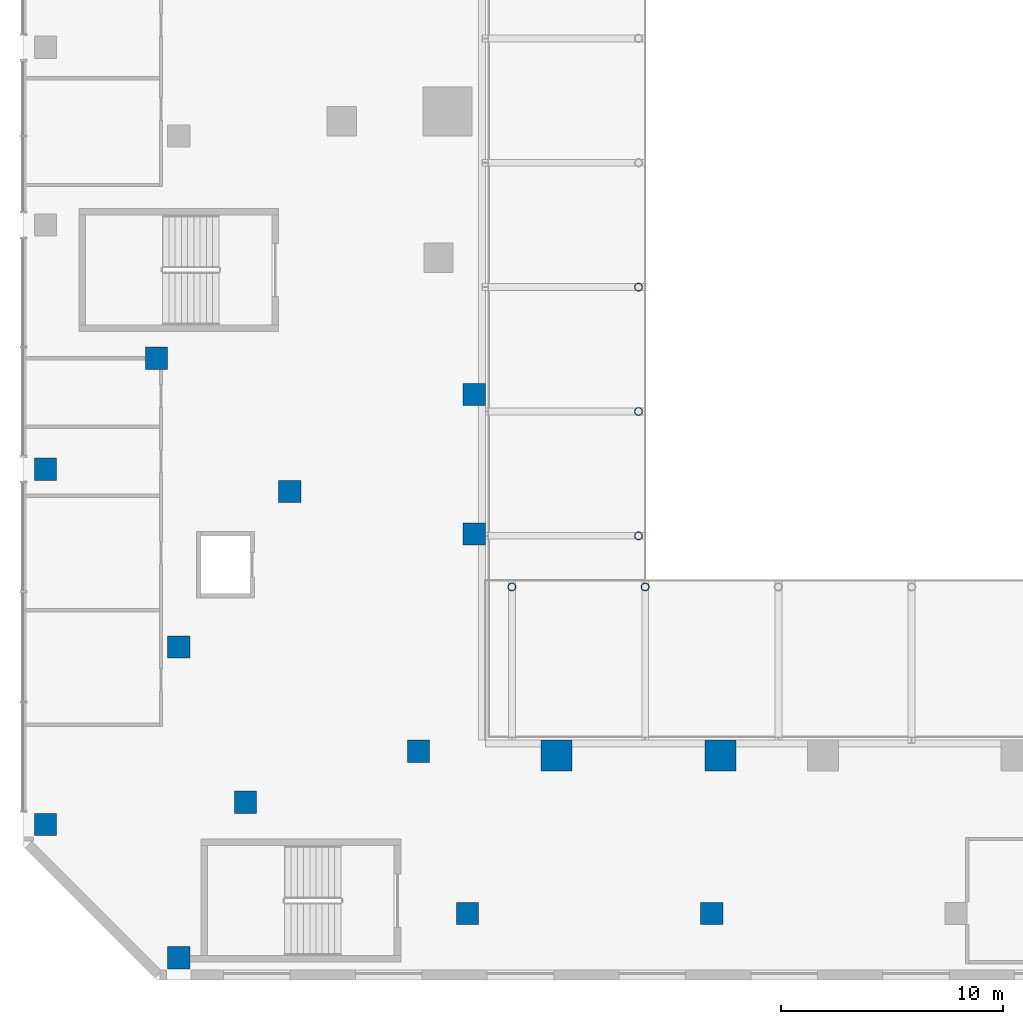
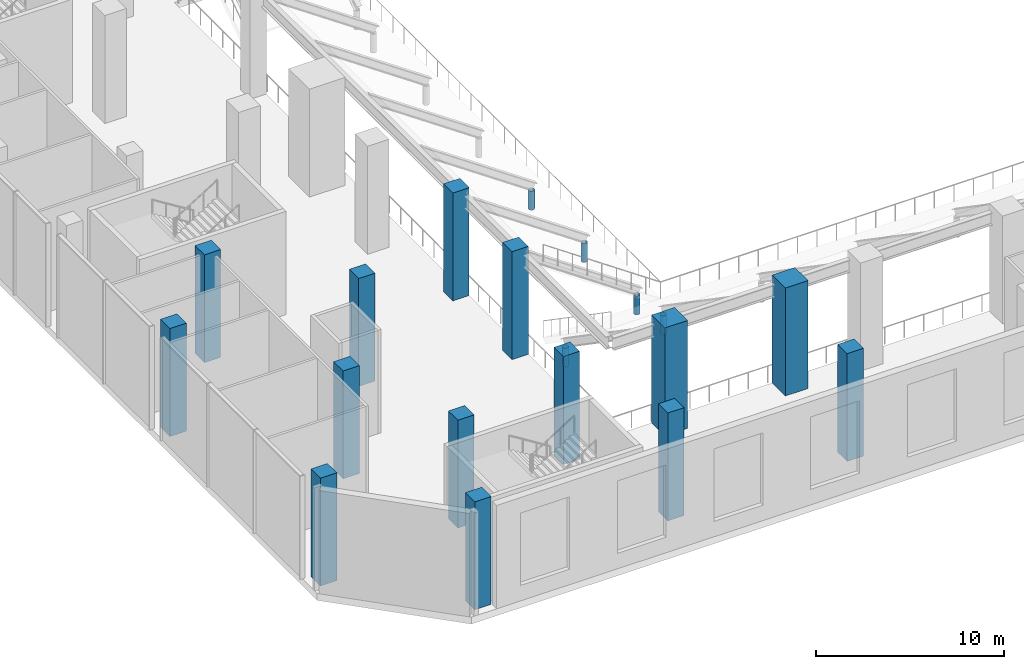
# One storey, part 1 of 41: 19 columns.
"""IFC4 building model written with IfcOpenShell, lengths in metres."""

from ifc_helpers import new_model, si_unit, direction, frame, origin, origin_2d, place, context, subcontext, project, spatial, rectangle, hollow_circle, extrude, material, material_profile, profile_set, type_object, element, save


model = new_model("IFC4")

# Units and contexts
model_context = context("Model", 3, precision=1e-05, world=origin(), true_north=direction((0.0, 1.0)))
body_context = subcontext(model_context, "Body", "Model", "MODEL_VIEW")
ifc_project = project(units=[si_unit("LENGTHUNIT", "METRE"), si_unit("AREAUNIT", "SQUARE_METRE"), si_unit("VOLUMEUNIT", "CUBIC_METRE"), si_unit("PLANEANGLEUNIT", "RADIAN"), si_unit("MASSUNIT", "GRAM", prefix="KILO")], contexts=[model_context])

# Site, building, storey
site_placement = place(None, origin())
site = spatial("IfcSite", under=ifc_project, at=site_placement, CompositionType="ELEMENT")
building_placement = place(site_placement, origin())
building = spatial("IfcBuilding", under=site, at=building_placement, Name="Wharfspan Tower", CompositionType="ELEMENT")
storey_placement = place(building_placement, frame((0.0, 0.0, 8.0)))
storey = spatial("IfcBuildingStorey", under=building, at=storey_placement, Name="L01", CompositionType="ELEMENT", Elevation=8.0)

# Columns
ifc_material_1 = material(Name="Concrete C60/75", Category="concrete")
ifc_material_profile_1 = material_profile(ifc_material_1, rectangle(XDim=1.0, YDim=1.0, at=origin_2d()))
ifc_profile_set_1 = profile_set([ifc_material_profile_1], Name="Concrete C60/75")
column_type_1 = type_object("IfcColumnType", Name="Concrete column 1000 square", PredefinedType="COLUMN", material=ifc_profile_set_1)
for number, where, z_axis, x_axis, name in (
    (1, (5.800049, -21.699951, 0.0), (0.0, 0.0, 1.0), (1.0, 0.0, 0.0), "Column G.S1"),
    (2, (8.300049, -11.919922, 0.0), (0.0, 0.0, 1.0), (1.0, 0.0, 0.0), "Column G.W3"),
    (3, (8.300049, -5.639893, 0.0), (0.0, 0.0, 1.0), (1.0, 0.0, 0.0), "Column G.W4"),
    (4, (-11.0, -9.0, 0.0), (0.0, 0.0, 1.0), (1.0, 0.0, 0.0), "Column D.4"),
    (5, (-11.0, -25.0, 0.0), (0.0, 0.0, 1.0), (1.0, 0.0, 0.0), "Column D.7"),
    (6, (-5.0, -31.0, 0.0), (0.0, 0.0, 1.0), (1.0, 0.0, 0.0), "Column D.19"),
    (7, (-5.0, -17.0, 0.0), (0.0, 0.0, 1.0), (1.0, 0.0, 0.0), "Column D.21"),
    (8, (-6.0, -4.0, 0.0), (0.0, 0.0, 1.0), (1.0, 0.0, 0.0), "Column D.24"),
    (9, (19.0, -29.0, 0.0), (0.0, 0.0, 1.0), (1.0, 0.0, 0.0), "Column D.32"),
    (10, (8.0, -29.0, 0.0), (0.0, 0.0, 1.0), (1.0, 0.0, 0.0), "Column D.33"),
    (11, (0.0, -10.0, 0.0), (0.0, 0.0, 1.0), (1.0, 0.0, 0.0), "Column D.39"),
    (12, (-2.0, -24.0, 0.0), (0.0, 0.0, 1.0), (1.0, 0.0, 0.0), "Column D.51"),
):
    element("IfcColumn", number, at=place(storey_placement, frame(where, z_axis=z_axis, x_axis=x_axis)), inside=storey, type_object=column_type_1, Name=name, PredefinedType="COLUMN", context=body_context, shape_type="SweptSolid", body=[
        extrude(rectangle(XDim=1.0, YDim=1.0, at=origin_2d()), origin(), (0.0, 0.0, 1.0), 7.0),
    ])
ifc_material_profile_2 = material_profile(ifc_material_1, rectangle(XDim=1.399902, YDim=1.399902, at=origin_2d()))
ifc_profile_set_2 = profile_set([ifc_material_profile_2], Name="Concrete C60/75")
column_type_2 = type_object("IfcColumnType", Name="Concrete column 1400 square", PredefinedType="COLUMN", material=ifc_profile_set_2)
for number, where, z_axis, x_axis, name in (
    (13, (12.0, -21.899902, 0.0), (0.0, 0.0, 1.0), (1.0, 0.0, 0.0), "Column RS.1"),
    (14, (19.391113, -21.899902, 0.0), (0.0, 0.0, 1.0), (1.0, 0.0, 0.0), "Column RS.2"),
):
    element("IfcColumn", number, at=place(storey_placement, frame(where, z_axis=z_axis, x_axis=x_axis)), inside=storey, type_object=column_type_2, Name=name, PredefinedType="COLUMN", context=body_context, shape_type="SweptSolid", body=[
        extrude(rectangle(XDim=1.399902, YDim=1.399902, at=origin_2d()), origin(), (0.0, 0.0, 1.0), 7.0),
    ])
ifc_material_2 = material(Name="Steel S460NH", Category="steel")
ifc_material_profile_3 = material_profile(ifc_material_2, hollow_circle(Radius=0.177734, WallThickness=0.016113, at=origin_2d()))
ifc_profile_set_3 = profile_set([ifc_material_profile_3], Name="Steel S460NH")
column_type_3 = type_object("IfcColumnType", Name="Tier column CHS 356x16", PredefinedType="COLUMN", material=ifc_profile_set_3)
for number, where, z_axis, x_axis, name in (
    (15, (10.0, -14.300049, 0.0), (0.0, 0.0, 1.0), (1.0, 0.0, 0.0), "Upper tier column"),
    (16, (16.0, -14.300049, 0.0), (0.0, 0.0, 1.0), (1.0, 0.0, 0.0), "Upper tier column"),
    (17, (15.699951, -12.0, 0.0), (0.0, 0.0, 1.0), (1.0, 0.0, 0.0), "Upper tier column"),
    (18, (15.699951, -6.399902, 0.0), (0.0, 0.0, 1.0), (1.0, 0.0, 0.0), "Upper tier column"),
    (19, (15.699951, -0.800049, 0.0), (0.0, 0.0, 1.0), (1.0, 0.0, 0.0), "Upper tier column"),
):
    element("IfcColumn", number, at=place(storey_placement, frame(where, z_axis=z_axis, x_axis=x_axis)), inside=storey, type_object=column_type_3, Name=name, PredefinedType="COLUMN", context=body_context, shape_type="SweptSolid", body=[
        extrude(hollow_circle(Radius=0.177734, WallThickness=0.016113, at=origin_2d()), origin(), (0.0, 0.0, 1.0), 1.229248),
    ])

save(model, "model.ifc")
